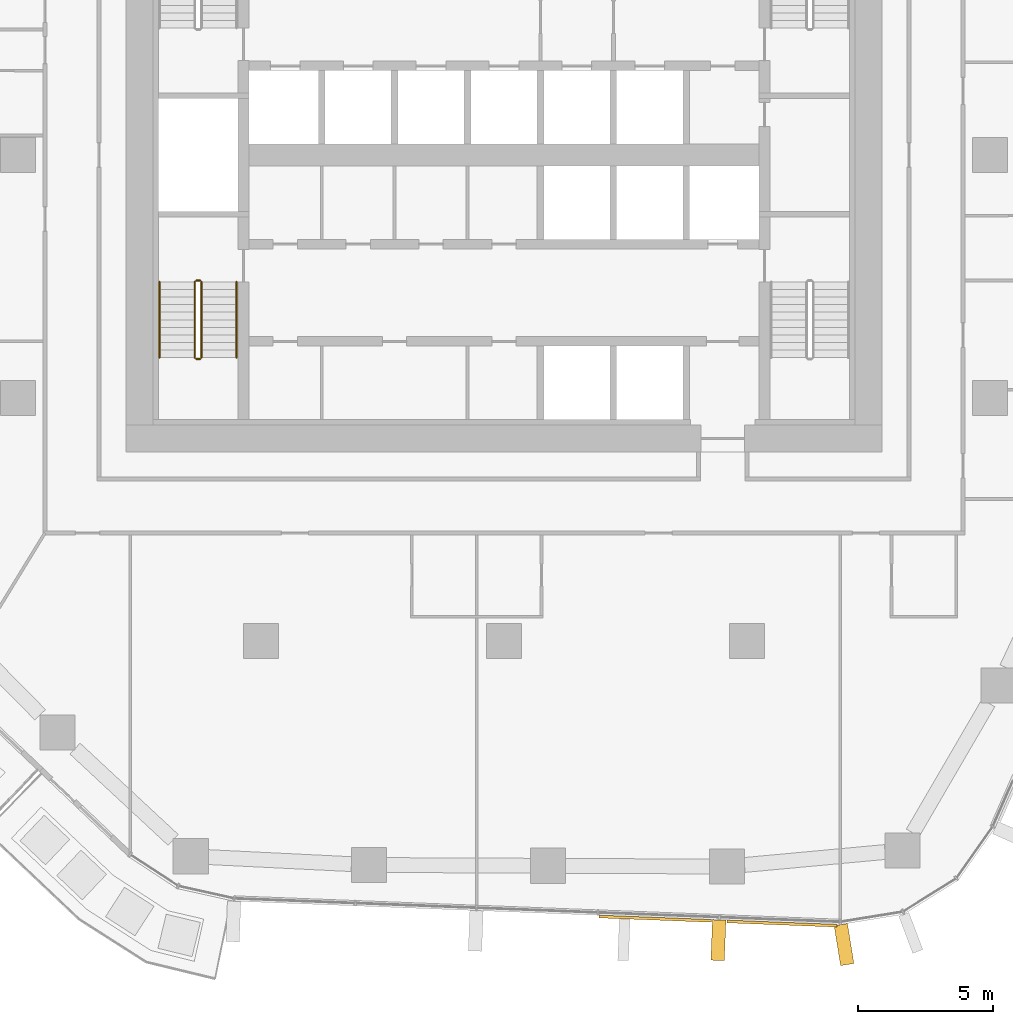
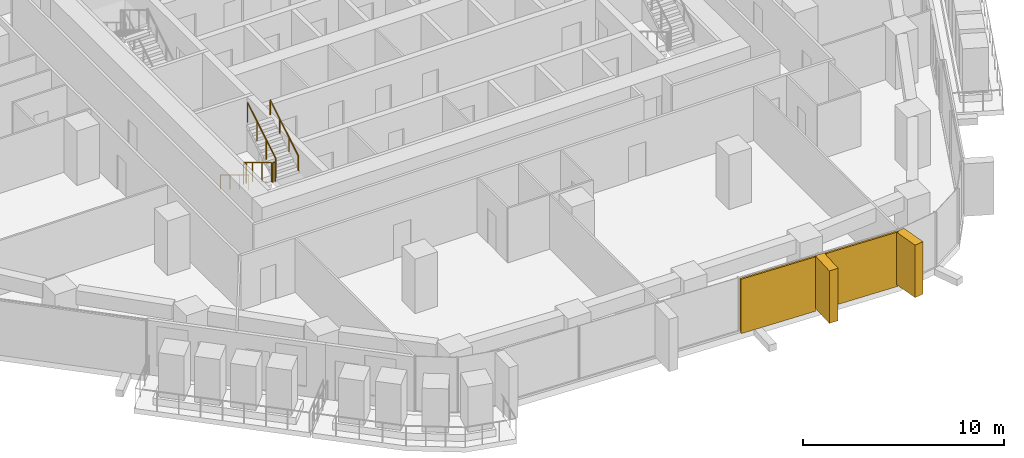
# One storey, part 19 of 23: 6 railings, 4 coverings, 2 elements without a shape of their own.
"""IFC4 building model written with IfcOpenShell, lengths in metres."""

from ifc_helpers import new_model, si_unit, direction, frame, origin, origin_2d, place, context, subcontext, project, spatial, rectangle, circle, extrude, material, layer, layer_set, material_profile, profile_set, type_object, element, aggregate, save


model = new_model("IFC4")

# Units and contexts
model_context = context("Model", 3, precision=1e-05, world=origin(), true_north=direction((0.0, 1.0)))
body_context = subcontext(model_context, "Body", "Model", "MODEL_VIEW")
ifc_project = project(units=[si_unit("LENGTHUNIT", "METRE"), si_unit("AREAUNIT", "SQUARE_METRE"), si_unit("VOLUMEUNIT", "CUBIC_METRE"), si_unit("PLANEANGLEUNIT", "RADIAN"), si_unit("MASSUNIT", "GRAM", prefix="KILO")], contexts=[model_context])

# Site, building, storey
site_placement = place(None, origin())
site = spatial("IfcSite", under=ifc_project, at=site_placement, CompositionType="ELEMENT")
building_placement = place(site_placement, origin())
building = spatial("IfcBuilding", under=site, at=building_placement, Name="Dongbaek Canopy Tower", CompositionType="ELEMENT")
storey_placement = place(building_placement, frame((0.0, 0.0, 132.199951171875)))
storey = spatial("IfcBuildingStorey", under=building, at=storey_placement, Name="L29", CompositionType="ELEMENT", Elevation=132.199951171875)

# Curtain wall, coverings
ifc_material_1 = material(Name="Aluminium 6063-T6 pale anodised", Category="aluminium")
ifc_layer_1 = layer(ifc_material_1, 0.199951171875)
ifc_layer_set_1 = layer_set([ifc_layer_1], Name="CW-1 unitised tower curtain wall")
curtain_wall_type = type_object("IfcCurtainWallType", Name="CW-1 unitised tower curtain wall", PredefinedType="NOTDEFINED", material=ifc_layer_set_1)
curtain_wall_1_placement = place(storey_placement, origin())
curtain_wall_1 = element("IfcCurtainWall", 1, at=curtain_wall_1_placement, inside=storey, type_object=curtain_wall_type, Name="CW-1 curtain wall F4.1", PredefinedType="NOTDEFINED")
ifc_material_2 = material(Name="Perforated aluminium 6063-T6 pale metal screen", Category="aluminium")
ifc_layer_2 = layer(ifc_material_2, 0.10009765625)
ifc_layer_set_2 = layer_set([ifc_layer_2], Name="Facet screen FS1 100 pale metal")
covering_type_1 = type_object("IfcCoveringType", Name="Facet screen FS1 100 pale metal", PredefinedType="CLADDING", material=ifc_layer_set_2)
covering_1_placement = place(storey_placement, frame((5.595947265625, -28.279052734375, 0.0), z_axis=(0.0, 0.0, 1.0), x_axis=(0.999255258703, -0.038586629205, 0.0)))
covering_1 = element("IfcCovering", 2, at=covering_1_placement, type_object=covering_type_1, Name="Facet screen L29 F4", PredefinedType="CLADDING", context=body_context, shape_type="SweptSolid", body=[
    extrude(rectangle(XDim=4.16796875, YDim=0.10009765625, at=origin_2d()), origin(), (0.0, 0.0, 1.0), 3.300048828125),
])
covering_2_placement = place(storey_placement, frame((10.29345703125, -28.46044921875, 0.0), z_axis=(0.0, 0.0, 1.0), x_axis=(0.999255258703, -0.038586629205, 0.0)))
covering_2 = element("IfcCovering", 3, at=covering_2_placement, type_object=covering_type_1, Name="Facet screen L29 F4", PredefinedType="CLADDING", context=body_context, shape_type="SweptSolid", body=[
    extrude(rectangle(XDim=4.073974609375, YDim=0.10009765625, at=origin_2d()), origin(), (0.0, 0.0, 1.0), 3.300048828125),
])
ifc_material_3 = material(Name="Aluminium 6063-T6 pale metal fin", Category="aluminium")
ifc_material_profile = material_profile(ifc_material_3, rectangle(XDim=1.5, YDim=0.5, at=origin_2d()), Name="Fin FN1 500 x 1500 pale metal")
ifc_profile_set = profile_set([ifc_material_profile], Name="Aluminium 6063-T6 pale metal fin")
covering_type_2 = type_object("IfcCoveringType", Name="Fin FN1 500 x 1500 pale metal", PredefinedType="CLADDING", material=ifc_profile_set)
covering_3_placement = place(storey_placement, frame((7.941162109375, -29.07421875, 0.1201171875), z_axis=(0.0, 0.0, 1.0), x_axis=(-0.038587229989, -0.999255235504, 0.0)))
covering_3 = element("IfcCovering", 4, at=covering_3_placement, type_object=covering_type_2, Name="Fin F4.1.5", PredefinedType="CLADDING", context=body_context, shape_type="SweptSolid", body=[
    extrude(rectangle(XDim=1.5, YDim=0.5, at=origin_2d()), origin(), (0.0, 0.0, 1.0), 3.179931640625),
])
aggregate(curtain_wall_1, [covering_3, covering_1, covering_2])

# Curtain wall, covering
curtain_wall_2_placement = place(storey_placement, origin())
curtain_wall_2 = element("IfcCurtainWall", 5, at=curtain_wall_2_placement, inside=storey, type_object=curtain_wall_type, Name="CW-1 curtain wall K5.1", PredefinedType="NOTDEFINED")
covering_4_placement = place(storey_placement, frame((12.59228515625, -29.237060546875, 0.1201171875), z_axis=(0.0, 0.0, 1.0), x_axis=(0.159963145489, -0.987122987315, 0.0)))
covering_4 = element("IfcCovering", 6, at=covering_4_placement, type_object=covering_type_2, Name="Fin K5.1.1", PredefinedType="CLADDING", context=body_context, shape_type="SweptSolid", body=[
    extrude(rectangle(XDim=1.5, YDim=0.5, at=origin_2d()), origin(), (0.0, 0.0, 1.0), 3.179931640625),
])
aggregate(curtain_wall_2, [covering_4])

# Railings
ifc_material_4 = material(Name="Stainless steel tube and balusters", Category="steel")
railing_type_1 = type_object("IfcRailingType", Name="Stair guard 1200", PredefinedType="GUARDRAIL", material=ifc_material_4)
railing_1_placement = place(storey_placement, frame((-11.449951171875, -4.699951171875, 0.168212890625)))
element("IfcRailing", 7, at=railing_1_placement, inside=storey, type_object=railing_type_1, Name="L29 ST-D stair guard 1", PredefinedType="GUARDRAIL", context=body_context, shape_type="SweptSolid", body=[
    extrude(circle(Radius=0.02392578125, at=origin_2d()), frame((0.0, 0.0, 1.17578125), z_axis=(0.0, -0.857242210791, 0.514913383045), x_axis=(1.0, 0.0, 0.0)), (0.0, 0.0, 1.0), 3.266357421875),
    extrude(circle(Radius=0.02099609375, at=origin_2d()), origin(), (0.0, 0.0, 1.0), 1.15185546875),
    extrude(circle(Radius=0.02099609375, at=origin_2d()), frame((0.0, -0.933349609375, 0.560546875)), (0.0, 0.0, 1.0), 1.15185546875),
    extrude(circle(Radius=0.02099609375, at=origin_2d()), frame((0.0, -1.86669921875, 1.121337890625)), (0.0, 0.0, 1.0), 1.15185546875),
    extrude(circle(Radius=0.02099609375, at=origin_2d()), frame((0.0, -2.800048828125, 1.681884765625)), (0.0, 0.0, 1.0), 1.15185546875),
])
railing_2_placement = place(storey_placement, frame((-11.39990234375, -7.550048828125, 1.85009765625)))
element("IfcRailing", 8, at=railing_2_placement, inside=storey, type_object=railing_type_1, Name="L29 ST-D stair guard 2", PredefinedType="GUARDRAIL", context=body_context, shape_type="SweptSolid", body=[
    extrude(circle(Radius=0.02392578125, at=origin_2d()), frame((0.0, 0.0, 1.17578125), z_axis=(1.0, 0.0, 0.0), x_axis=(0.0, 1.0, 0.0)), (0.0, 0.0, 1.0), 0.14990234375),
    extrude(circle(Radius=0.02099609375, at=origin_2d()), origin(), (0.0, 0.0, 1.0), 1.15185546875),
    extrude(circle(Radius=0.02099609375, at=origin_2d()), frame((0.14990234375, 0.0, 0.0)), (0.0, 0.0, 1.0), 1.15185546875),
])
railing_3_placement = place(storey_placement, frame((-11.199951171875, -7.5, 2.018310546875)))
element("IfcRailing", 9, at=railing_3_placement, inside=storey, type_object=railing_type_1, Name="L29 ST-D stair guard 3", PredefinedType="GUARDRAIL", context=body_context, shape_type="SweptSolid", body=[
    extrude(circle(Radius=0.02392578125, at=origin_2d()), frame((0.0, 0.0, 1.17578125), z_axis=(0.0, 0.857275202839, 0.514858452973), x_axis=(-1.0, 0.0, 0.0)), (0.0, 0.0, 1.0), 3.26611328125),
    extrude(circle(Radius=0.02099609375, at=origin_2d()), origin(), (0.0, 0.0, 1.0), 1.15185546875),
    extrude(circle(Radius=0.02099609375, at=origin_2d()), frame((0.0, 0.933349609375, 0.560546875)), (0.0, 0.0, 1.0), 1.15185546875),
    extrude(circle(Radius=0.02099609375, at=origin_2d()), frame((0.0, 1.86669921875, 1.12109375)), (0.0, 0.0, 1.0), 1.15185546875),
    extrude(circle(Radius=0.02099609375, at=origin_2d()), frame((0.0, 2.800048828125, 1.681640625)), (0.0, 0.0, 1.0), 1.15185546875),
])
railing_4_placement = place(storey_placement, frame((-11.39990234375, -4.64990234375, 0.0)))
element("IfcRailing", 10, at=railing_4_placement, inside=storey, type_object=railing_type_1, Name="L29 ST-D stair guard 4", PredefinedType="GUARDRAIL", context=body_context, shape_type="SweptSolid", body=[
    extrude(circle(Radius=0.02392578125, at=origin_2d()), frame((0.0, 0.0, 1.17578125), z_axis=(1.0, 0.0, 0.0), x_axis=(0.0, 1.0, 0.0)), (0.0, 0.0, 1.0), 0.14990234375),
    extrude(circle(Radius=0.02099609375, at=origin_2d()), origin(), (0.0, 0.0, 1.0), 1.15185546875),
    extrude(circle(Radius=0.02099609375, at=origin_2d()), frame((0.14990234375, 0.0, 0.0)), (0.0, 0.0, 1.0), 1.15185546875),
])
ifc_material_5 = material(Name="Stainless steel tube", Category="steel")
railing_type_2 = type_object("IfcRailingType", Name="Stair handrail 900", PredefinedType="HANDRAIL", material=ifc_material_5)
railing_5_placement = place(storey_placement, frame((-12.75, -4.699951171875, 0.168212890625)))
element("IfcRailing", 11, at=railing_5_placement, inside=storey, type_object=railing_type_2, Name="L29 ST-D stair handrail 1", PredefinedType="HANDRAIL", context=body_context, shape_type="SweptSolid", body=[
    extrude(circle(Radius=0.02392578125, at=origin_2d()), frame((0.0, 0.0, 0.8759765625), z_axis=(0.0, -0.857242210791, 0.514913383045), x_axis=(1.0, 0.0, 0.0)), (0.0, 0.0, 1.0), 3.266357421875),
    extrude(circle(Radius=0.02099609375, at=origin_2d()), origin(), (0.0, 0.0, 1.0), 0.851806640625),
    extrude(circle(Radius=0.02099609375, at=origin_2d()), frame((0.0, -0.933349609375, 0.560546875)), (0.0, 0.0, 1.0), 0.851806640625),
    extrude(circle(Radius=0.02099609375, at=origin_2d()), frame((0.0, -1.86669921875, 1.121337890625)), (0.0, 0.0, 1.0), 0.851806640625),
    extrude(circle(Radius=0.02099609375, at=origin_2d()), frame((0.0, -2.800048828125, 1.681884765625)), (0.0, 0.0, 1.0), 0.851806640625),
])
railing_6_placement = place(storey_placement, frame((-9.89990234375, -7.5, 2.018310546875)))
element("IfcRailing", 12, at=railing_6_placement, inside=storey, type_object=railing_type_2, Name="L29 ST-D stair handrail 2", PredefinedType="HANDRAIL", context=body_context, shape_type="SweptSolid", body=[
    extrude(circle(Radius=0.02392578125, at=origin_2d()), frame((0.0, 0.0, 0.8759765625), z_axis=(0.0, 0.857275202839, 0.514858452973), x_axis=(-1.0, 0.0, 0.0)), (0.0, 0.0, 1.0), 3.26611328125),
    extrude(circle(Radius=0.02099609375, at=origin_2d()), origin(), (0.0, 0.0, 1.0), 0.851806640625),
    extrude(circle(Radius=0.02099609375, at=origin_2d()), frame((0.0, 0.933349609375, 0.560546875)), (0.0, 0.0, 1.0), 0.851806640625),
    extrude(circle(Radius=0.02099609375, at=origin_2d()), frame((0.0, 1.86669921875, 1.12109375)), (0.0, 0.0, 1.0), 0.851806640625),
    extrude(circle(Radius=0.02099609375, at=origin_2d()), frame((0.0, 2.800048828125, 1.681640625)), (0.0, 0.0, 1.0), 0.851806640625),
])

save(model, "model.ifc")
